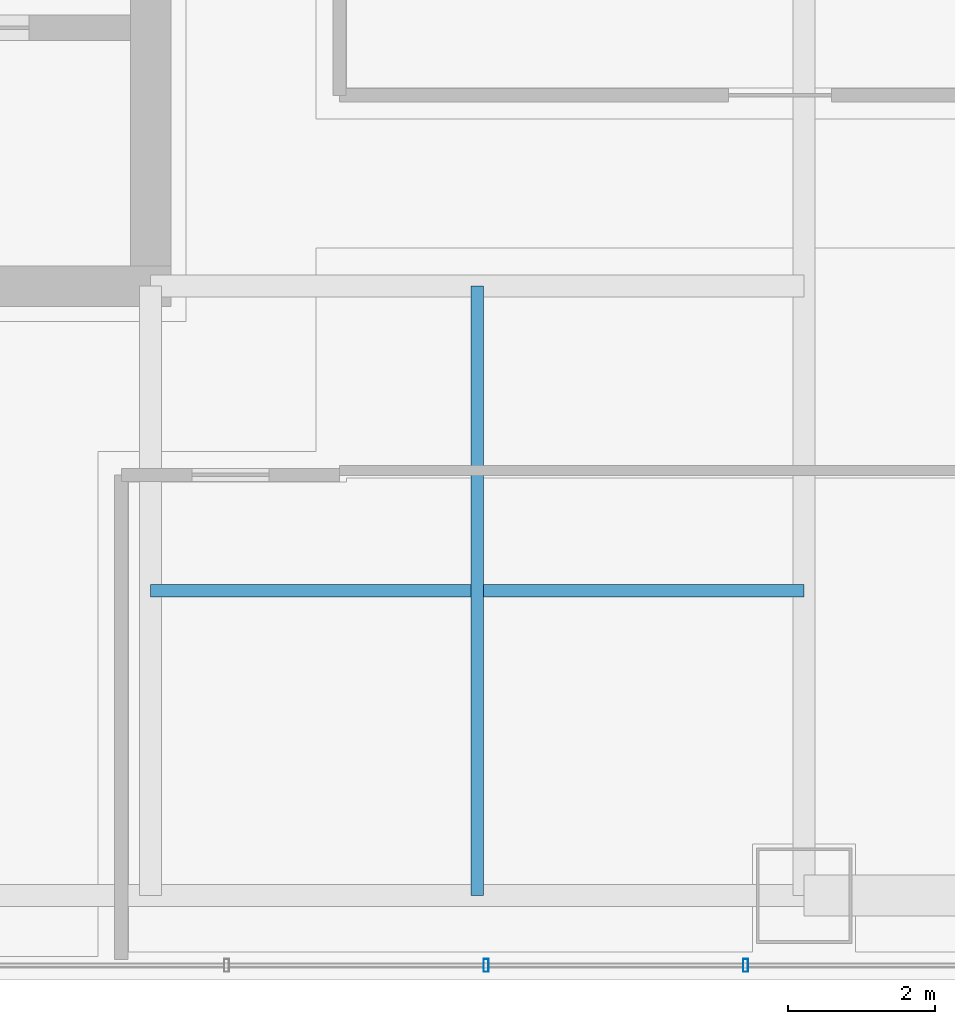
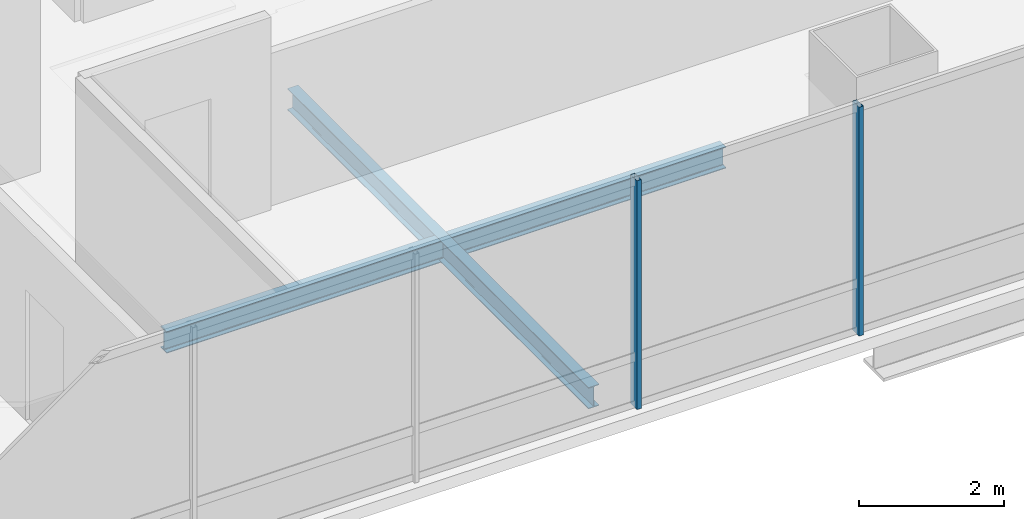
# One storey, part 14 of 42: 2 beams, 2 members, 1 element without a shape of its own.
"""IFC4 building model written with IfcOpenShell, lengths in metres."""

from ifc_helpers import new_model, si_unit, direction, frame, origin, origin_2d, place, context, subcontext, project, spatial, hollow_rectangle, i_section, extrude, material, material_profile, profile_set, type_object, element, aggregate, save


model = new_model("IFC4")

# Units and contexts
model_context = context("Model", 3, precision=1e-05, world=origin(), true_north=direction((0.0, 1.0)))
body_context = subcontext(model_context, "Body", "Model", "MODEL_VIEW")
ifc_project = project(units=[si_unit("LENGTHUNIT", "METRE"), si_unit("AREAUNIT", "SQUARE_METRE"), si_unit("VOLUMEUNIT", "CUBIC_METRE"), si_unit("PLANEANGLEUNIT", "RADIAN"), si_unit("MASSUNIT", "GRAM", prefix="KILO")], contexts=[model_context])

# Site, building, storey
site_placement = place(None, origin())
site = spatial("IfcSite", under=ifc_project, at=site_placement, CompositionType="ELEMENT")
building_placement = place(site_placement, origin())
building = spatial("IfcBuilding", under=site, at=building_placement, Name="Punatoya Terracotta Tower", CompositionType="ELEMENT")
storey_placement = place(building_placement, frame((0.0, 0.0, 263.550048828125)))
storey = spatial("IfcBuildingStorey", under=building, at=storey_placement, Name="L62", CompositionType="ELEMENT", Elevation=263.550048828125)

# Beams
ifc_material_1 = material(Name="Steel S355", Category="steel")
ifc_material_profile_1 = material_profile(ifc_material_1, i_section(OverallWidth=0.169921875, OverallDepth=0.360107421875, WebThickness=0.008056640625, FlangeThickness=0.0126953125, FilletRadius=0.01806640625, at=origin_2d()))
ifc_profile_set_1 = profile_set([ifc_material_profile_1], Name="Steel S355")
beam_type = type_object("IfcBeamType", Name="BM-SEC-360", PredefinedType="JOIST", material=ifc_profile_set_1)
beam_1_placement = place(storey_placement, frame((10.199951171875, -13.35009765625, -0.380126953125), z_axis=(1.0, 0.0, 0.0), x_axis=(0.0, 1.0, 0.0)))
element("IfcBeam", 1, at=beam_1_placement, inside=storey, type_object=beam_type, Name="BM-L62-SJS-2", PredefinedType="JOIST", context=body_context, shape_type="SweptSolid", body=[
    extrude(i_section(OverallWidth=0.169921875, OverallDepth=0.360107421875, WebThickness=0.008056640625, FlangeThickness=0.0126953125, FilletRadius=0.01806640625, at=origin_2d()), origin(), (0.0, 0.0, 1.0), 8.900146484375),
])
beam_2_placement = place(storey_placement, frame((14.64990234375, -17.5, -0.380126953125), z_axis=(0.0, 1.0, 0.0), x_axis=(-1.0, 0.0, 0.0)))
element("IfcBeam", 2, at=beam_2_placement, inside=storey, type_object=beam_type, Name="BM-L62-SJE-1", PredefinedType="JOIST", context=body_context, shape_type="SweptSolid", body=[
    extrude(i_section(OverallWidth=0.169921875, OverallDepth=0.360107421875, WebThickness=0.008056640625, FlangeThickness=0.0126953125, FilletRadius=0.01806640625, at=origin_2d()), origin(), (0.0, 0.0, 1.0), 8.300048828125),
])

# Curtain wall, members
ifc_material_2 = material(Name="Aluminium 6063-T6 + Double Low-E Glass", Category="aluminium")
curtain_wall_type = type_object("IfcCurtainWallType", Name="CW-M3", PredefinedType="NOTDEFINED", material=ifc_material_2)
curtain_wall_placement = place(storey_placement, origin())
curtain_wall = element("IfcCurtainWall", 3, at=curtain_wall_placement, inside=storey, type_object=curtain_wall_type, Name="L62 Curtain Wall CW-L62-S01-1", PredefinedType="NOTDEFINED")
ifc_material_3 = material(Name="Aluminium 6063-T6", Category="aluminium")
ifc_material_profile_2 = material_profile(ifc_material_3, hollow_rectangle(XDim=0.070068359375, YDim=0.179931640625, WallThickness=0.00390625, at=origin_2d()))
ifc_profile_set_2 = profile_set([ifc_material_profile_2], Name="Aluminium 6063-T6")
member_type = type_object("IfcMemberType", Name="CW-MUL-M3", PredefinedType="MULLION", material=ifc_profile_set_2)
member_1_placement = place(storey_placement, frame((14.768798828125, -18.449951171875, 0.0), z_axis=(0.0, 0.0, 1.0), x_axis=(1.0, 0.0, 0.0)))
member_1 = element("IfcMember", 4, at=member_1_placement, type_object=member_type, Name="CW-L62-S01-1 Mullion 09", PredefinedType="MULLION", context=body_context, shape_type="SweptSolid", body=[
    extrude(hollow_rectangle(XDim=0.070068359375, YDim=0.179931640625, WallThickness=0.00390625, at=origin_2d()), origin(), (0.0, 0.0, 1.0), 3.849853515625),
])
member_2_placement = place(storey_placement, frame((18.302978515625, -18.449951171875, 0.0), z_axis=(0.0, 0.0, 1.0), x_axis=(1.0, 0.0, 0.0)))
member_2 = element("IfcMember", 5, at=member_2_placement, type_object=member_type, Name="CW-L62-S01-1 Mullion 10", PredefinedType="MULLION", context=body_context, shape_type="SweptSolid", body=[
    extrude(hollow_rectangle(XDim=0.070068359375, YDim=0.179931640625, WallThickness=0.00390625, at=origin_2d()), origin(), (0.0, 0.0, 1.0), 3.849853515625),
])
aggregate(curtain_wall, [member_1, member_2])

save(model, "model.ifc")
